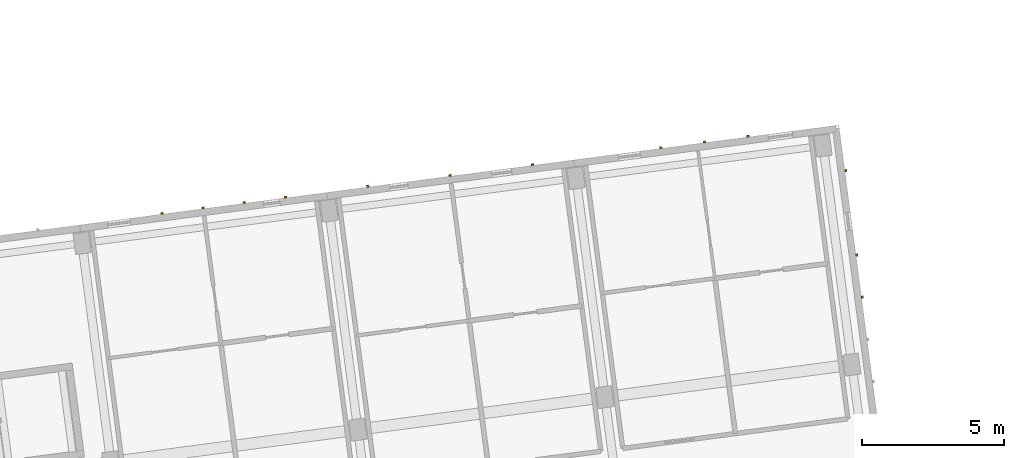
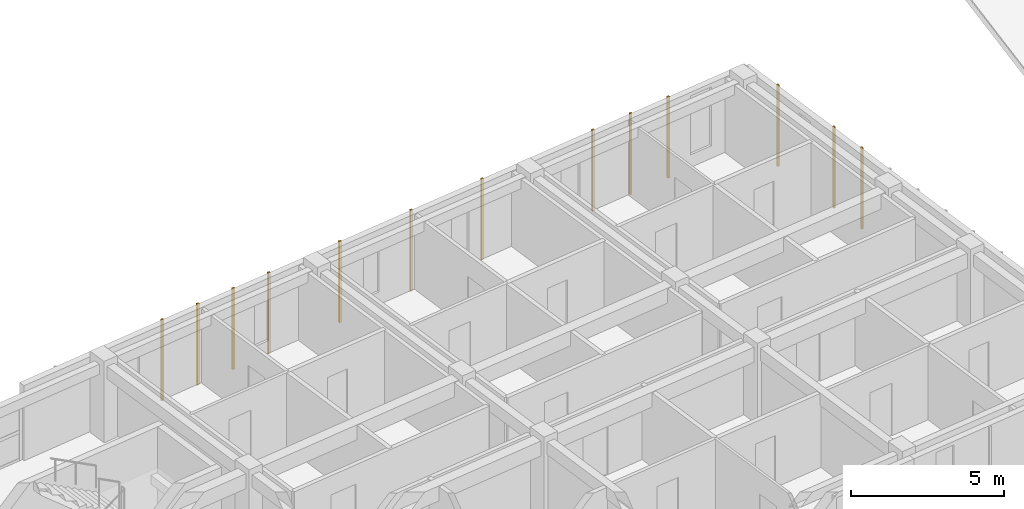
# One storey, part 59 of 74: 13 coverings.
"""IFC4 building model written with IfcOpenShell, lengths in metres."""

import ifcopenshell
import ifcopenshell.guid

model = None  # the IFC model being written
_history = None  # IfcOwnerHistory: only IFC2X3 demands one
_inside = {}  # id of a spatial element -> (the spatial element, [elements in it])
_under = {}  # id of a project, library or spatial element -> (it, [spatial elements below it])
_declared = {}  # id of a project -> (the project, [libraries it declares])
_typed = {}  # id of a type object -> (the type object, [elements of that type])
_made_of = {}  # id of a material, layer set ... -> (it, [elements and type objects made of it])


def new_model(schema):
    """Start an empty IFC model of exactly this schema.

    Asked for "IFC4X3", IfcOpenShell would pick the latest addendum, in which some entities
    have other attributes; the version numbers below select the first issue.
    IFC2X3 requires an IfcOwnerHistory on every rooted entity: one is made here for all.
    """
    global model, _history
    if schema == "IFC4X3":
        model = ifcopenshell.file(schema_version=(4, 3, 0, 0))
    else:
        model = ifcopenshell.file(schema=schema)
    _inside.clear()
    _under.clear()
    _declared.clear()
    _typed.clear()
    _made_of.clear()
    _history = None
    if model.schema == "IFC2X3":
        org = make("IfcOrganization", Name="unknown")
        user = make(
            "IfcPersonAndOrganization",
            ThePerson=make("IfcPerson", FamilyName="unknown"),
            TheOrganization=org,
        )
        app = make(
            "IfcApplication",
            ApplicationDeveloper=org,
            Version="unknown",
            ApplicationFullName="unknown",
            ApplicationIdentifier="unknown",
        )
        _history = make(
            "IfcOwnerHistory",
            OwningUser=user,
            OwningApplication=app,
            ChangeAction="ADDED",
            CreationDate=0,
        )
    return model


def make(cls, **values):
    """One entity of the class cls with the attributes given. An attribute that is None is left unset."""
    return model.create_entity(
        cls, **{name: value for name, value in values.items() if value is not None}
    )


def rooted(cls, **values):
    """An entity with a GlobalId (a new one), such as an element, a storey or a relation."""
    return make(cls, GlobalId=ifcopenshell.guid.new(), OwnerHistory=_history, **values)


def si_unit(unit_type, name, prefix=None):
    """IfcSIUnit, for example si_unit("LENGTHUNIT", "METRE", prefix="MILLI")."""
    return make("IfcSIUnit", UnitType=unit_type, Prefix=prefix, Name=name)


def assignment(units):
    """IfcUnitAssignment: the units of a project."""
    return None if units is None else make("IfcUnitAssignment", Units=units)


def point(xyz):
    """IfcCartesianPoint."""
    return None if xyz is None else make("IfcCartesianPoint", Coordinates=xyz)


def direction(xyz):
    """IfcDirection."""
    return None if xyz is None else make("IfcDirection", DirectionRatios=xyz)


def frame(location, z_axis=None, x_axis=None):
    """IfcAxis2Placement3D, a coordinate frame: its origin and axes. An axis left out is left unset."""
    return make(
        "IfcAxis2Placement3D",
        Location=point(location),
        Axis=direction(z_axis),
        RefDirection=direction(x_axis),
    )


def frame_2d(location, x_axis=None):
    """IfcAxis2Placement2D, a coordinate frame in the plane: its origin and x axis."""
    return make(
        "IfcAxis2Placement2D", Location=point(location), RefDirection=direction(x_axis)
    )


def origin():
    """The frame at (0, 0, 0) with its axes left unset."""
    return frame((0.0, 0.0, 0.0))


def origin_2d():
    """The frame at (0, 0) in the plane with its x axis left unset."""
    return frame_2d((0.0, 0.0))


def place(relative_to, where):
    """IfcLocalPlacement: puts the frame where relative to a parent placement (None: the world)."""
    return make(
        "IfcLocalPlacement", PlacementRelTo=relative_to, RelativePlacement=where
    )


def context(
    kind, dimensions, precision=None, world=None, true_north=None, identifier=None
):
    """IfcGeometricRepresentationContext, for example the 3D "Model" context."""
    return make(
        "IfcGeometricRepresentationContext",
        ContextIdentifier=identifier,
        ContextType=kind,
        CoordinateSpaceDimension=dimensions,
        Precision=precision,
        WorldCoordinateSystem=world,
        TrueNorth=true_north,
    )


def subcontext(parent, identifier, kind, view, scale=None):
    """IfcGeometricRepresentationSubContext, for example "Body" below "Model"."""
    return make(
        "IfcGeometricRepresentationSubContext",
        ContextIdentifier=identifier,
        ContextType=kind,
        ParentContext=parent,
        TargetScale=scale,
        TargetView=view,
    )


def project(units=None, contexts=None):
    """IfcProject with its units and contexts."""
    return rooted(
        "IfcProject",
        Name="project",
        RepresentationContexts=contexts,
        UnitsInContext=assignment(units),
    )


def spatial(cls, under=None, at=None, **own):
    """A site, building, storey or space (cls), placed at a placement, below another one or the project."""
    s = rooted(cls, ObjectPlacement=at, **own)
    if under is not None:
        _under.setdefault(under.id(), (under, []))[1].append(s)
    return s


def profile(cls, at=None, kind="AREA", **sizes):
    """A parametric profile (cls). Its sizes go by their IFC names, for example OverallWidth=200.0."""
    return make(cls, ProfileType=kind, Position=at, **sizes)


def rectangle(**sizes):
    """IfcRectangleProfileDef."""
    return profile("IfcRectangleProfileDef", **sizes)


def extrude(swept, where, along, depth):
    """IfcExtrudedAreaSolid: the profile swept, set in the frame where, extruded along a direction by depth."""
    return make(
        "IfcExtrudedAreaSolid",
        SweptArea=swept,
        Position=where,
        ExtrudedDirection=direction(along),
        Depth=depth,
    )


def shape(context_of_items, identifier, shape_type, items):
    """IfcShapeRepresentation: the items that make up one representation, for example the "Body"."""
    return make(
        "IfcShapeRepresentation",
        ContextOfItems=context_of_items,
        RepresentationIdentifier=identifier,
        RepresentationType=shape_type,
        Items=items,
    )


def material(Name=None, Category=None):
    """IfcMaterial."""
    return make("IfcMaterial", Name=Name, Category=Category)


def layer(
    of_material, thickness, ventilated=None, Name=None, Category=None, Priority=None
):
    """IfcMaterialLayer: one layer of a wall or slab, of a material (None: an air gap)."""
    return make(
        "IfcMaterialLayer",
        Material=of_material,
        LayerThickness=thickness,
        IsVentilated=ventilated,
        Name=Name,
        Category=Category,
        Priority=Priority,
    )


def layer_set(layers, Name=None):
    """IfcMaterialLayerSet."""
    return make("IfcMaterialLayerSet", MaterialLayers=layers, LayerSetName=Name)


def made_of(thing, what):
    """Note that an element or type object is made of a material, layer set ...; save() writes the relation."""
    if what is not None:
        _made_of.setdefault(what.id(), (what, []))[1].append(thing)
    return thing


def type_object(cls, material=None, **own):
    """A type object (cls), such as IfcWallType, which elements share."""
    return made_of(rooted(cls, **own), material)


def element(
    cls,
    number,
    at=None,
    inside=None,
    cuts=None,
    type_object=None,
    material=None,
    context=None,
    identifier="Body",
    shape_type=None,
    held_by="IfcProductDefinitionShape",
    body=None,
    shapes=None,
    **own,
):
    """One element of the class cls, such as IfcWall. Its Tag is "e" and its number.

    at: its placement. inside: the storey or other place that contains it. cuts: it is an
    opening in that element (IfcRelVoidsElement). A single representation is given by context,
    identifier, shape_type and body (its items); several are given by shapes. held_by: the class
    of the entity that holds the representations. save() writes the other relations.
    """
    e = rooted(cls, Tag="e%d" % number, ObjectPlacement=at, **own)
    if body is not None:
        shapes = [shape(context, identifier, shape_type, body)]
    if shapes is not None:
        e.Representation = make(held_by, Representations=shapes)
    if inside is not None:
        _inside.setdefault(inside.id(), (inside, []))[1].append(e)
    if cuts is not None:
        rooted(
            "IfcRelVoidsElement", RelatingBuildingElement=cuts, RelatedOpeningElement=e
        )
    if type_object is not None:
        _typed.setdefault(type_object.id(), (type_object, []))[1].append(e)
    return made_of(e, material)


def aggregate(whole, parts):
    """IfcRelAggregates: a whole, such as a stair, and the parts it consists of."""
    return rooted("IfcRelAggregates", RelatingObject=whole, RelatedObjects=parts)


def save(model, path):
    """Write the relations noted so far, then the file.

    IfcRelAggregates (storeys below a building ...), IfcRelContainedInSpatialStructure (elements
    in a storey), IfcRelDefinesByType, IfcRelAssociatesMaterial and IfcRelDeclares: one each for
    every whole, place, type object, material and project.
    """
    for whole, parts in _under.values():
        aggregate(whole, parts)
    for where, things in _inside.values():
        rooted(
            "IfcRelContainedInSpatialStructure",
            RelatedElements=things,
            RelatingStructure=where,
        )
    for kind, things in _typed.values():
        rooted("IfcRelDefinesByType", RelatedObjects=things, RelatingType=kind)
    for what, things in _made_of.values():
        rooted("IfcRelAssociatesMaterial", RelatedObjects=things, RelatingMaterial=what)
    for by, libraries in _declared.values():
        rooted("IfcRelDeclares", RelatingContext=by, RelatedDefinitions=libraries)
    model.write(path)


model = new_model("IFC4")

# Units and contexts
model_context = context("Model", 3, precision=1e-05, world=origin(), true_north=direction((0.0, 1.0)))
body_context = subcontext(model_context, "Body", "Model", "MODEL_VIEW")
ifc_project = project(units=[si_unit("LENGTHUNIT", "METRE"), si_unit("AREAUNIT", "SQUARE_METRE"), si_unit("VOLUMEUNIT", "CUBIC_METRE"), si_unit("PLANEANGLEUNIT", "RADIAN"), si_unit("MASSUNIT", "GRAM", prefix="KILO")], contexts=[model_context])

# Site, building, storey
site_placement = place(None, origin())
site = spatial("IfcSite", under=ifc_project, at=site_placement, CompositionType="ELEMENT")
building_placement = place(site_placement, origin())
building = spatial("IfcBuilding", under=site, at=building_placement, Name="Kestramere Prow Commons", CompositionType="ELEMENT")
storey_placement = place(building_placement, frame((0.0, 0.0, 11.64990234375)))
storey = spatial("IfcBuildingStorey", under=building, at=storey_placement, Name="L03", CompositionType="ELEMENT", Elevation=11.64990234375)

# Coverings
ifc_material = material(Name="Weathered Zinc-Titanium Standing-Seam Cladding")
ifc_layer = layer(ifc_material, 0.074951171875)
ifc_layer_set = layer_set([ifc_layer], Name="Weathered Zinc-Titanium Standing-Seam Cladding")
covering_type = type_object("IfcCoveringType", Name="COV-CLAD-SEAM", PredefinedType="CLADDING", material=ifc_layer_set)
for number, where, z_axis, x_axis, name in (
    (1, (37.58349609375, 96.329345703125, -0.25), (0.0, 0.0, 1.0), (0.991444861374, 0.13052619222, 0.0), "EW-A-L03-N-3 Standing-Seam Rib 2"),
    (2, (39.03759765625, 96.520751953125, -0.25), (0.0, 0.0, 1.0), (0.991444861374, 0.13052619222, 0.0), "EW-A-L03-N-3 Standing-Seam Rib 3"),
    (3, (40.49169921875, 96.712158203125, -0.25), (0.0, 0.0, 1.0), (0.991444861374, 0.13052619222, 0.0), "EW-A-L03-N-3 Standing-Seam Rib 4"),
    (4, (41.94580078125, 96.903564453125, -0.25), (0.0, 0.0, 1.0), (0.991444861374, 0.13052619222, 0.0), "EW-A-L03-N-3 Standing-Seam Rib 5"),
    (5, (44.85400390625, 97.28662109375, -0.25), (0.0, 0.0, 1.0), (0.991444861374, 0.13052619222, 0.0), "EW-A-L03-N-4 Standing-Seam Rib 1"),
    (6, (47.76220703125, 97.66943359375, -0.25), (0.0, 0.0, 1.0), (0.991444861374, 0.13052619222, 0.0), "EW-A-L03-N-4 Standing-Seam Rib 3"),
    (7, (50.67041015625, 98.05224609375, -0.25), (0.0, 0.0, 1.0), (0.991444861374, 0.13052619222, 0.0), "EW-A-L03-N-4 Standing-Seam Rib 5"),
    (8, (55.206298828125, 98.6494140625, -0.25), (0.0, 0.0, 1.0), (0.991444861374, 0.13052619222, 0.0), "EW-A-L03-N-5 Standing-Seam Rib 2"),
    (9, (56.747314453125, 98.852294921875, -0.25), (0.0, 0.0, 1.0), (0.991444861374, 0.13052619222, 0.0), "EW-A-L03-N-5 Standing-Seam Rib 3"),
    (10, (58.2880859375, 99.05517578125, -0.25), (0.0, 0.0, 1.0), (0.991444861374, 0.13052619222, 0.0), "EW-A-L03-N-5 Standing-Seam Rib 4"),
    (11, (61.7373046875, 97.8388671875, -0.25), (0.0, 0.0, 1.0), (0.13052619222, -0.991444861374, 0.0), "EW-A-L03-EAV Standing-Seam Rib 1"),
    (12, (62.129638671875, 94.857421875, -0.25), (0.0, 0.0, 1.0), (0.13052619222, -0.991444861374, 0.0), "EW-A-L03-EAV Standing-Seam Rib 3"),
    (13, (62.325927734375, 93.36669921875, -0.25), (0.0, 0.0, 1.0), (0.13052619222, -0.991444861374, 0.0), "EW-A-L03-EAV Standing-Seam Rib 4"),
):
    element("IfcCovering", number, at=place(storey_placement, frame(where, z_axis=z_axis, x_axis=x_axis)), inside=storey, type_object=covering_type, Name=name, PredefinedType="CLADDING", context=body_context, shape_type="SweptSolid", body=[
        extrude(rectangle(XDim=0.0849609375, YDim=0.06494140625, at=origin_2d()), origin(), (0.0, 0.0, 1.0), 3.25),
    ])

save(model, "model.ifc")
